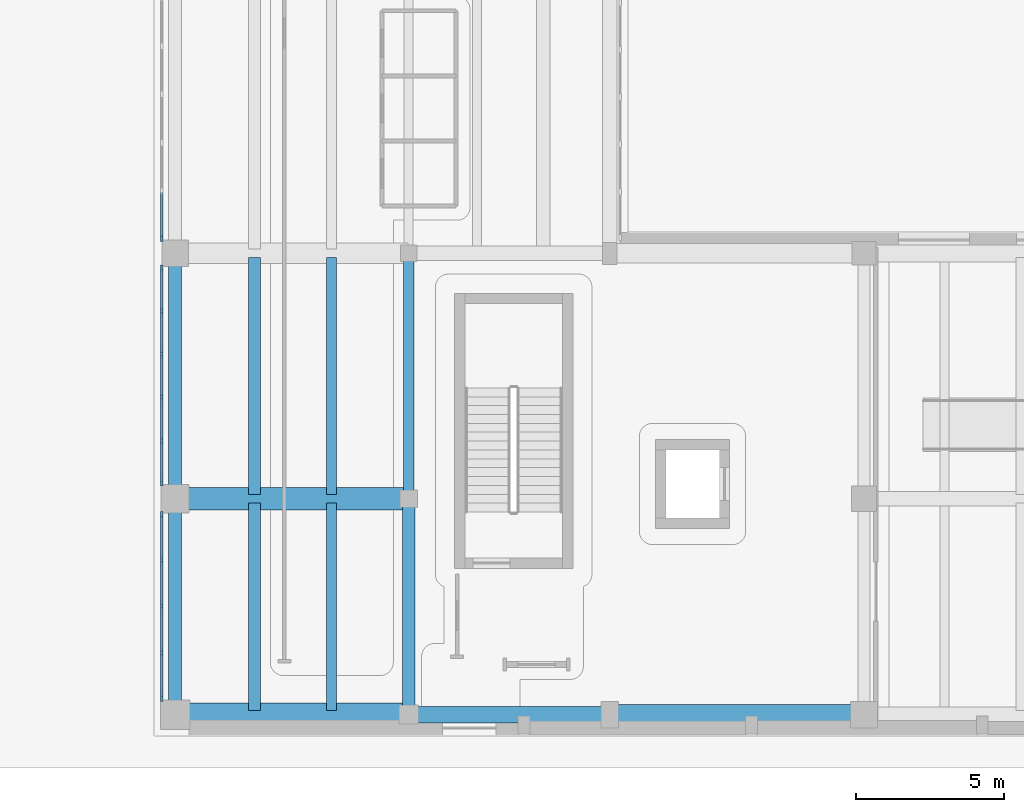
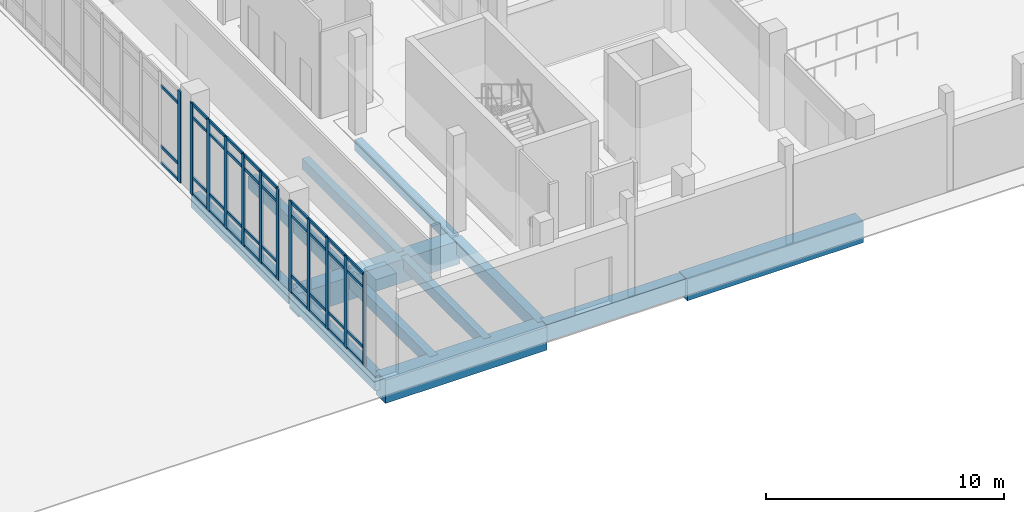
# One storey, part 15 of 74: 51 members, 12 beams, 3 elements without a shape of their own.
"""IFC4 building model written with IfcOpenShell, lengths in metres."""

from ifc_helpers import new_model, si_unit, direction, frame, origin, origin_2d, place, context, subcontext, project, spatial, rectangle, extrude, material, material_profile, profile_set, type_object, element, aggregate, save


model = new_model("IFC4")

# Units and contexts
model_context = context("Model", 3, precision=1e-05, world=origin(), true_north=direction((0.0, 1.0)))
body_context = subcontext(model_context, "Body", "Model", "MODEL_VIEW")
ifc_project = project(units=[si_unit("LENGTHUNIT", "METRE"), si_unit("AREAUNIT", "SQUARE_METRE"), si_unit("VOLUMEUNIT", "CUBIC_METRE"), si_unit("PLANEANGLEUNIT", "RADIAN"), si_unit("MASSUNIT", "GRAM", prefix="KILO")], contexts=[model_context])

# Site, building, storey
site_placement = place(None, origin())
site = spatial("IfcSite", under=ifc_project, at=site_placement, CompositionType="ELEMENT")
building_placement = place(site_placement, origin())
building = spatial("IfcBuilding", under=site, at=building_placement, Name="Soyqirgoq Riverine Aquarium", CompositionType="ELEMENT")
storey_placement = place(building_placement, origin())
storey = spatial("IfcBuildingStorey", under=building, at=storey_placement, Name="L01", CompositionType="ELEMENT", Elevation=0.0)

# Beams
ifc_material_1 = material(Name="Concrete C40/50", Category="concrete")
ifc_material_profile_1 = material_profile(ifc_material_1, rectangle(XDim=0.39990234375, YDim=0.60009765625, at=origin_2d()), Name="RC 400x600")
ifc_profile_set_1 = profile_set([ifc_material_profile_1], Name="Concrete C40/50")
beam_type_1 = type_object("IfcBeamType", Name="Beam_RC_400x600", PredefinedType="JOIST", material=ifc_profile_set_1)
beam_1_placement = place(storey_placement, frame((117.385986328125, 2.340087890625, -0.64990234375), z_axis=(0.0, 1.0, 0.0), x_axis=(-1.0, 0.0, 0.0)))
element("IfcBeam", 1, at=beam_1_placement, inside=storey, type_object=beam_type_1, Name="V6 L01 Secondary Bay Joist 1054", PredefinedType="JOIST", context=body_context, shape_type="SweptSolid", body=[
    extrude(rectangle(XDim=0.39990234375, YDim=0.60009765625, at=origin_2d()), origin(), (0.0, 0.0, 1.0), 7.02001953125),
])
beam_2_placement = place(storey_placement, frame((117.385986328125, 9.639892578125, -0.64990234375), z_axis=(0.0, 1.0, 0.0), x_axis=(-1.0, 0.0, 0.0)))
element("IfcBeam", 2, at=beam_2_placement, inside=storey, type_object=beam_type_1, Name="V6 L01 Secondary Bay Joist 1062", PredefinedType="JOIST", context=body_context, shape_type="SweptSolid", body=[
    extrude(rectangle(XDim=0.39990234375, YDim=0.60009765625, at=origin_2d()), origin(), (0.0, 0.0, 1.0), 8.02001953125),
])
ifc_material_2 = material(Name="Concrete C40/50", Category="concrete")
ifc_material_profile_2 = material_profile(ifc_material_2, rectangle(XDim=0.419921875, YDim=0.679931640625, at=origin_2d()), Name="RC 420x680")
ifc_profile_set_2 = profile_set([ifc_material_profile_2], Name="Concrete C40/50")
beam_type_2 = type_object("IfcBeamType", Name="Beam_RC_420x680", PredefinedType="BEAM", material=ifc_profile_set_2)
beam_3_placement = place(storey_placement, frame((122.60009765625, 2.25, -0.68994140625), z_axis=(0.0, 1.0, 0.0), x_axis=(-1.0, 0.0, 0.0)))
element("IfcBeam", 3, at=beam_3_placement, inside=storey, type_object=beam_type_2, Name="V6 L01 North-South Frame Beam 1019", PredefinedType="BEAM", context=body_context, shape_type="SweptSolid", body=[
    extrude(rectangle(XDim=0.419921875, YDim=0.679931640625, at=origin_2d()), origin(), (0.0, 0.0, 1.0), 7.199951171875),
])
ifc_material_3 = material(Name="Concrete C40/50", Category="concrete")
ifc_material_profile_3 = material_profile(ifc_material_3, rectangle(XDim=0.449951171875, YDim=0.699951171875, at=origin_2d()), Name="RC 450x700")
ifc_profile_set_3 = profile_set([ifc_material_profile_3], Name="Concrete C40/50")
beam_type_3 = type_object("IfcBeamType", Name="Beam_RC_450x700", PredefinedType="BEAM", material=ifc_profile_set_3)
beam_4_placement = place(storey_placement, frame((114.699951171875, 9.550048828125, -0.699951171875), z_axis=(0.0, 1.0, 0.0), x_axis=(-1.0, 0.0, 0.0)))
element("IfcBeam", 4, at=beam_4_placement, inside=storey, type_object=beam_type_3, Name="V6 L01 North-South Frame Beam 1008", PredefinedType="BEAM", context=body_context, shape_type="SweptSolid", body=[
    extrude(rectangle(XDim=0.449951171875, YDim=0.699951171875, at=origin_2d()), origin(), (0.0, 0.0, 1.0), 8.199951171875),
])
ifc_material_4 = material(Name="Concrete C40/50", Category="concrete")
ifc_material_profile_4 = material_profile(ifc_material_4, rectangle(XDim=0.449951171875, YDim=0.75, at=origin_2d()), Name="RC 450x750")
ifc_profile_set_4 = profile_set([ifc_material_profile_4], Name="Concrete C40/50")
beam_type_4 = type_object("IfcBeamType", Name="Beam_RC_450x750", PredefinedType="BEAM", material=ifc_profile_set_4)
beam_5_placement = place(storey_placement, frame((114.699951171875, 2.25, -0.72509765625), z_axis=(0.0, 1.0, 0.0), x_axis=(-1.0, 0.0, 0.0)))
element("IfcBeam", 5, at=beam_5_placement, inside=storey, type_object=beam_type_4, Name="V6 L01 North-South Frame Beam 1006", PredefinedType="BEAM", context=body_context, shape_type="SweptSolid", body=[
    extrude(rectangle(XDim=0.449951171875, YDim=0.75, at=origin_2d()), origin(), (0.0, 0.0, 1.0), 7.199951171875),
])

# Curtain wall, members
ifc_material_5 = material(Name="Structural silicone glazed entrance curtain wall", Category="aluminium")
curtain_wall_type = type_object("IfcCurtainWallType", Name="CW_Portal_Entrance", PredefinedType="NOTDEFINED", material=ifc_material_5)
curtain_wall_1_placement = place(storey_placement, origin())
curtain_wall_1 = element("IfcCurtainWall", 6, at=curtain_wall_1_placement, inside=storey, type_object=curtain_wall_type, Name="V6 L01 Curtain Wall 104", PredefinedType="NOTDEFINED")
ifc_material_6 = material(Name="Anodised aluminium 6063-T6", Category="aluminium")
ifc_material_profile_5 = material_profile(ifc_material_6, rectangle(XDim=0.080078125, YDim=0.219970703125, at=origin_2d()), Name="ALU-M 80x220")
ifc_profile_set_5 = profile_set([ifc_material_profile_5], Name="Anodised aluminium 6063-T6")
member_type_1 = type_object("IfcMemberType", Name="CWMullion_80x220", PredefinedType="MULLION", material=ifc_profile_set_5)
member_1_placement = place(storey_placement, frame((114.25, 2.760009765625, 0.0), z_axis=(0.0, 0.0, 1.0), x_axis=(-1.0, 0.0, 0.0)))
member_1 = element("IfcMember", 7, at=member_1_placement, type_object=member_type_1, Name="CW-04 mullion 1", PredefinedType="MULLION", context=body_context, shape_type="SweptSolid", body=[
    extrude(rectangle(XDim=0.080078125, YDim=0.219970703125, at=origin_2d()), origin(), (0.0, 0.0, 1.0), 4.699951171875),
])
member_2_placement = place(storey_placement, frame((114.25, 4.291259765625, 0.0), z_axis=(0.0, 0.0, 1.0), x_axis=(-1.0, 0.0, 0.0)))
member_2 = element("IfcMember", 8, at=member_2_placement, type_object=member_type_1, Name="CW-04 mullion 2", PredefinedType="MULLION", context=body_context, shape_type="SweptSolid", body=[
    extrude(rectangle(XDim=0.080078125, YDim=0.219970703125, at=origin_2d()), origin(), (0.0, 0.0, 1.0), 4.699951171875),
])
member_3_placement = place(storey_placement, frame((114.25, 5.862548828125, 0.0), z_axis=(0.0, 0.0, 1.0), x_axis=(-1.0, 0.0, 0.0)))
member_3 = element("IfcMember", 9, at=member_3_placement, type_object=member_type_1, Name="CW-04 mullion 3", PredefinedType="MULLION", context=body_context, shape_type="SweptSolid", body=[
    extrude(rectangle(XDim=0.080078125, YDim=0.219970703125, at=origin_2d()), origin(), (0.0, 0.0, 1.0), 4.699951171875),
])
member_4_placement = place(storey_placement, frame((114.25, 7.433837890625, 0.0), z_axis=(0.0, 0.0, 1.0), x_axis=(-1.0, 0.0, 0.0)))
member_4 = element("IfcMember", 10, at=member_4_placement, type_object=member_type_1, Name="CW-04 mullion 4", PredefinedType="MULLION", context=body_context, shape_type="SweptSolid", body=[
    extrude(rectangle(XDim=0.080078125, YDim=0.219970703125, at=origin_2d()), origin(), (0.0, 0.0, 1.0), 4.699951171875),
])
member_5_placement = place(storey_placement, frame((114.25, 8.965087890625, 0.0), z_axis=(0.0, 0.0, 1.0), x_axis=(-1.0, 0.0, 0.0)))
member_5 = element("IfcMember", 11, at=member_5_placement, type_object=member_type_1, Name="CW-04 mullion 5", PredefinedType="MULLION", context=body_context, shape_type="SweptSolid", body=[
    extrude(rectangle(XDim=0.080078125, YDim=0.219970703125, at=origin_2d()), origin(), (0.0, 0.0, 1.0), 4.699951171875),
])

curtain_wall_2_placement = place(storey_placement, origin())
curtain_wall_2 = element("IfcCurtainWall", 12, at=curtain_wall_2_placement, inside=storey, type_object=curtain_wall_type, Name="V6 L01 Curtain Wall 105", PredefinedType="NOTDEFINED")
member_6_placement = place(storey_placement, frame((114.25, 10.034912109375, 0.0), z_axis=(0.0, 0.0, 1.0), x_axis=(-1.0, 0.0, 0.0)))
member_6 = element("IfcMember", 13, at=member_6_placement, type_object=member_type_1, Name="CW-04 mullion 1", PredefinedType="MULLION", context=body_context, shape_type="SweptSolid", body=[
    extrude(rectangle(XDim=0.080078125, YDim=0.219970703125, at=origin_2d()), origin(), (0.0, 0.0, 1.0), 4.699951171875),
])
member_7_placement = place(storey_placement, frame((114.25, 11.4619140625, 0.0), z_axis=(0.0, 0.0, 1.0), x_axis=(-1.0, 0.0, 0.0)))
member_7 = element("IfcMember", 14, at=member_7_placement, type_object=member_type_1, Name="CW-04 mullion 2", PredefinedType="MULLION", context=body_context, shape_type="SweptSolid", body=[
    extrude(rectangle(XDim=0.080078125, YDim=0.219970703125, at=origin_2d()), origin(), (0.0, 0.0, 1.0), 4.699951171875),
])
member_8_placement = place(storey_placement, frame((114.25, 12.928955078125, 0.0), z_axis=(0.0, 0.0, 1.0), x_axis=(-1.0, 0.0, 0.0)))
member_8 = element("IfcMember", 15, at=member_8_placement, type_object=member_type_1, Name="CW-04 mullion 3", PredefinedType="MULLION", context=body_context, shape_type="SweptSolid", body=[
    extrude(rectangle(XDim=0.080078125, YDim=0.219970703125, at=origin_2d()), origin(), (0.0, 0.0, 1.0), 4.699951171875),
])
member_9_placement = place(storey_placement, frame((114.25, 14.39599609375, 0.0), z_axis=(0.0, 0.0, 1.0), x_axis=(-1.0, 0.0, 0.0)))
member_9 = element("IfcMember", 16, at=member_9_placement, type_object=member_type_1, Name="CW-04 mullion 4", PredefinedType="MULLION", context=body_context, shape_type="SweptSolid", body=[
    extrude(rectangle(XDim=0.080078125, YDim=0.219970703125, at=origin_2d()), origin(), (0.0, 0.0, 1.0), 4.699951171875),
])
member_10_placement = place(storey_placement, frame((114.25, 15.863037109375, 0.0), z_axis=(0.0, 0.0, 1.0), x_axis=(-1.0, 0.0, 0.0)))
member_10 = element("IfcMember", 17, at=member_10_placement, type_object=member_type_1, Name="CW-04 mullion 5", PredefinedType="MULLION", context=body_context, shape_type="SweptSolid", body=[
    extrude(rectangle(XDim=0.080078125, YDim=0.219970703125, at=origin_2d()), origin(), (0.0, 0.0, 1.0), 4.699951171875),
])
member_11_placement = place(storey_placement, frame((114.25, 17.2900390625, 0.0), z_axis=(0.0, 0.0, 1.0), x_axis=(-1.0, 0.0, 0.0)))
member_11 = element("IfcMember", 18, at=member_11_placement, type_object=member_type_1, Name="CW-04 mullion 6", PredefinedType="MULLION", context=body_context, shape_type="SweptSolid", body=[
    extrude(rectangle(XDim=0.080078125, YDim=0.219970703125, at=origin_2d()), origin(), (0.0, 0.0, 1.0), 4.699951171875),
])

# Curtain wall, member
curtain_wall_3_placement = place(storey_placement, origin())
curtain_wall_3 = element("IfcCurtainWall", 19, at=curtain_wall_3_placement, inside=storey, type_object=curtain_wall_type, Name="V6 L01 Curtain Wall 106", PredefinedType="NOTDEFINED")
member_12_placement = place(storey_placement, frame((114.25, 18.31005859375, 0.0), z_axis=(0.0, 0.0, 1.0), x_axis=(-1.0, 0.0, 0.0)))
member_12 = element("IfcMember", 20, at=member_12_placement, type_object=member_type_1, Name="CW-04 mullion 1", PredefinedType="MULLION", context=body_context, shape_type="SweptSolid", body=[
    extrude(rectangle(XDim=0.080078125, YDim=0.219970703125, at=origin_2d()), origin(), (0.0, 0.0, 1.0), 4.699951171875),
])

# Member
ifc_material_7 = material(Name="Anodised aluminium 6063-T6", Category="aluminium")
ifc_material_profile_6 = material_profile(ifc_material_7, rectangle(XDim=0.074951171875, YDim=0.14990234375, at=origin_2d()), Name="ALU-T 75x150")
ifc_profile_set_6 = profile_set([ifc_material_profile_6], Name="Anodised aluminium 6063-T6")
member_type_2 = type_object("IfcMemberType", Name="CWTransom_75x150", PredefinedType="USERDEFINED", material=ifc_profile_set_6)
member_13_placement = place(storey_placement, frame((114.25, 2.800048828125, 0.03759765625), z_axis=(0.0, 1.0, 0.0), x_axis=(-1.0, 0.0, 0.0)))
member_13 = element("IfcMember", 21, at=member_13_placement, type_object=member_type_2, Name="CW-04 transom 1.1", ObjectType="TRANSOM", PredefinedType="USERDEFINED", context=body_context, shape_type="SweptSolid", body=[
    extrude(rectangle(XDim=0.074951171875, YDim=0.14990234375, at=origin_2d()), origin(), (0.0, 0.0, 1.0), 1.451171875),
])

member_14_placement = place(storey_placement, frame((114.25, 2.800048828125, 0.89990234375), z_axis=(0.0, 1.0, 0.0), x_axis=(-1.0, 0.0, 0.0)))
member_14 = element("IfcMember", 22, at=member_14_placement, type_object=member_type_2, Name="CW-04 transom 1.2", ObjectType="TRANSOM", PredefinedType="USERDEFINED", context=body_context, shape_type="SweptSolid", body=[
    extrude(rectangle(XDim=0.074951171875, YDim=0.14990234375, at=origin_2d()), origin(), (0.0, 0.0, 1.0), 1.451171875),
])

member_15_placement = place(storey_placement, frame((114.25, 2.800048828125, 4.0), z_axis=(0.0, 1.0, 0.0), x_axis=(-1.0, 0.0, 0.0)))
member_15 = element("IfcMember", 23, at=member_15_placement, type_object=member_type_2, Name="CW-04 transom 1.3", ObjectType="TRANSOM", PredefinedType="USERDEFINED", context=body_context, shape_type="SweptSolid", body=[
    extrude(rectangle(XDim=0.074951171875, YDim=0.14990234375, at=origin_2d()), origin(), (0.0, 0.0, 1.0), 1.451171875),
])

member_16_placement = place(storey_placement, frame((114.25, 2.800048828125, 4.66259765625), z_axis=(0.0, 1.0, 0.0), x_axis=(-1.0, 0.0, 0.0)))
member_16 = element("IfcMember", 24, at=member_16_placement, type_object=member_type_2, Name="CW-04 transom 1.4", ObjectType="TRANSOM", PredefinedType="USERDEFINED", context=body_context, shape_type="SweptSolid", body=[
    extrude(rectangle(XDim=0.074951171875, YDim=0.14990234375, at=origin_2d()), origin(), (0.0, 0.0, 1.0), 1.451171875),
])

member_17_placement = place(storey_placement, frame((114.25, 4.331298828125, 0.03759765625), z_axis=(0.0, 1.0, 0.0), x_axis=(-1.0, 0.0, 0.0)))
member_17 = element("IfcMember", 25, at=member_17_placement, type_object=member_type_2, Name="CW-04 transom 2.1", ObjectType="TRANSOM", PredefinedType="USERDEFINED", context=body_context, shape_type="SweptSolid", body=[
    extrude(rectangle(XDim=0.074951171875, YDim=0.14990234375, at=origin_2d()), origin(), (0.0, 0.0, 1.0), 1.4912109375),
])

member_18_placement = place(storey_placement, frame((114.25, 4.331298828125, 0.89990234375), z_axis=(0.0, 1.0, 0.0), x_axis=(-1.0, 0.0, 0.0)))
member_18 = element("IfcMember", 26, at=member_18_placement, type_object=member_type_2, Name="CW-04 transom 2.2", ObjectType="TRANSOM", PredefinedType="USERDEFINED", context=body_context, shape_type="SweptSolid", body=[
    extrude(rectangle(XDim=0.074951171875, YDim=0.14990234375, at=origin_2d()), origin(), (0.0, 0.0, 1.0), 1.4912109375),
])

member_19_placement = place(storey_placement, frame((114.25, 4.331298828125, 4.0), z_axis=(0.0, 1.0, 0.0), x_axis=(-1.0, 0.0, 0.0)))
member_19 = element("IfcMember", 27, at=member_19_placement, type_object=member_type_2, Name="CW-04 transom 2.3", ObjectType="TRANSOM", PredefinedType="USERDEFINED", context=body_context, shape_type="SweptSolid", body=[
    extrude(rectangle(XDim=0.074951171875, YDim=0.14990234375, at=origin_2d()), origin(), (0.0, 0.0, 1.0), 1.4912109375),
])

member_20_placement = place(storey_placement, frame((114.25, 4.331298828125, 4.66259765625), z_axis=(0.0, 1.0, 0.0), x_axis=(-1.0, 0.0, 0.0)))
member_20 = element("IfcMember", 28, at=member_20_placement, type_object=member_type_2, Name="CW-04 transom 2.4", ObjectType="TRANSOM", PredefinedType="USERDEFINED", context=body_context, shape_type="SweptSolid", body=[
    extrude(rectangle(XDim=0.074951171875, YDim=0.14990234375, at=origin_2d()), origin(), (0.0, 0.0, 1.0), 1.4912109375),
])

member_21_placement = place(storey_placement, frame((114.25, 5.902587890625, 0.03759765625), z_axis=(0.0, 1.0, 0.0), x_axis=(-1.0, 0.0, 0.0)))
member_21 = element("IfcMember", 29, at=member_21_placement, type_object=member_type_2, Name="CW-04 transom 3.1", ObjectType="TRANSOM", PredefinedType="USERDEFINED", context=body_context, shape_type="SweptSolid", body=[
    extrude(rectangle(XDim=0.074951171875, YDim=0.14990234375, at=origin_2d()), origin(), (0.0, 0.0, 1.0), 1.4912109375),
])

member_22_placement = place(storey_placement, frame((114.25, 5.902587890625, 0.89990234375), z_axis=(0.0, 1.0, 0.0), x_axis=(-1.0, 0.0, 0.0)))
member_22 = element("IfcMember", 30, at=member_22_placement, type_object=member_type_2, Name="CW-04 transom 3.2", ObjectType="TRANSOM", PredefinedType="USERDEFINED", context=body_context, shape_type="SweptSolid", body=[
    extrude(rectangle(XDim=0.074951171875, YDim=0.14990234375, at=origin_2d()), origin(), (0.0, 0.0, 1.0), 1.4912109375),
])

member_23_placement = place(storey_placement, frame((114.25, 5.902587890625, 4.0), z_axis=(0.0, 1.0, 0.0), x_axis=(-1.0, 0.0, 0.0)))
member_23 = element("IfcMember", 31, at=member_23_placement, type_object=member_type_2, Name="CW-04 transom 3.3", ObjectType="TRANSOM", PredefinedType="USERDEFINED", context=body_context, shape_type="SweptSolid", body=[
    extrude(rectangle(XDim=0.074951171875, YDim=0.14990234375, at=origin_2d()), origin(), (0.0, 0.0, 1.0), 1.4912109375),
])

member_24_placement = place(storey_placement, frame((114.25, 5.902587890625, 4.66259765625), z_axis=(0.0, 1.0, 0.0), x_axis=(-1.0, 0.0, 0.0)))
member_24 = element("IfcMember", 32, at=member_24_placement, type_object=member_type_2, Name="CW-04 transom 3.4", ObjectType="TRANSOM", PredefinedType="USERDEFINED", context=body_context, shape_type="SweptSolid", body=[
    extrude(rectangle(XDim=0.074951171875, YDim=0.14990234375, at=origin_2d()), origin(), (0.0, 0.0, 1.0), 1.4912109375),
])

member_25_placement = place(storey_placement, frame((114.25, 7.4736328125, 0.03759765625), z_axis=(0.0, 1.0, 0.0), x_axis=(-1.0, 0.0, 0.0)))
member_25 = element("IfcMember", 33, at=member_25_placement, type_object=member_type_2, Name="CW-04 transom 4.1", ObjectType="TRANSOM", PredefinedType="USERDEFINED", context=body_context, shape_type="SweptSolid", body=[
    extrude(rectangle(XDim=0.074951171875, YDim=0.14990234375, at=origin_2d()), origin(), (0.0, 0.0, 1.0), 1.451416015625),
])

member_26_placement = place(storey_placement, frame((114.25, 7.4736328125, 0.89990234375), z_axis=(0.0, 1.0, 0.0), x_axis=(-1.0, 0.0, 0.0)))
member_26 = element("IfcMember", 34, at=member_26_placement, type_object=member_type_2, Name="CW-04 transom 4.2", ObjectType="TRANSOM", PredefinedType="USERDEFINED", context=body_context, shape_type="SweptSolid", body=[
    extrude(rectangle(XDim=0.074951171875, YDim=0.14990234375, at=origin_2d()), origin(), (0.0, 0.0, 1.0), 1.451416015625),
])

member_27_placement = place(storey_placement, frame((114.25, 7.4736328125, 4.0), z_axis=(0.0, 1.0, 0.0), x_axis=(-1.0, 0.0, 0.0)))
member_27 = element("IfcMember", 35, at=member_27_placement, type_object=member_type_2, Name="CW-04 transom 4.3", ObjectType="TRANSOM", PredefinedType="USERDEFINED", context=body_context, shape_type="SweptSolid", body=[
    extrude(rectangle(XDim=0.074951171875, YDim=0.14990234375, at=origin_2d()), origin(), (0.0, 0.0, 1.0), 1.451416015625),
])

member_28_placement = place(storey_placement, frame((114.25, 7.4736328125, 4.66259765625), z_axis=(0.0, 1.0, 0.0), x_axis=(-1.0, 0.0, 0.0)))
member_28 = element("IfcMember", 36, at=member_28_placement, type_object=member_type_2, Name="CW-04 transom 4.4", ObjectType="TRANSOM", PredefinedType="USERDEFINED", context=body_context, shape_type="SweptSolid", body=[
    extrude(rectangle(XDim=0.074951171875, YDim=0.14990234375, at=origin_2d()), origin(), (0.0, 0.0, 1.0), 1.451416015625),
])

aggregate(curtain_wall_1, [member_1, member_2, member_3, member_4, member_5, member_13, member_14, member_15, member_16, member_17, member_18, member_19, member_20, member_21, member_22, member_23, member_24, member_25, member_26, member_27, member_28])

member_29_placement = place(storey_placement, frame((114.25, 10.074951171875, 0.03759765625), z_axis=(0.0, 1.0, 0.0), x_axis=(-1.0, 0.0, 0.0)))
member_29 = element("IfcMember", 37, at=member_29_placement, type_object=member_type_2, Name="CW-04 transom 1.1", ObjectType="TRANSOM", PredefinedType="USERDEFINED", context=body_context, shape_type="SweptSolid", body=[
    extrude(rectangle(XDim=0.074951171875, YDim=0.14990234375, at=origin_2d()), origin(), (0.0, 0.0, 1.0), 1.34716796875),
])

member_30_placement = place(storey_placement, frame((114.25, 10.074951171875, 0.89990234375), z_axis=(0.0, 1.0, 0.0), x_axis=(-1.0, 0.0, 0.0)))
member_30 = element("IfcMember", 38, at=member_30_placement, type_object=member_type_2, Name="CW-04 transom 1.2", ObjectType="TRANSOM", PredefinedType="USERDEFINED", context=body_context, shape_type="SweptSolid", body=[
    extrude(rectangle(XDim=0.074951171875, YDim=0.14990234375, at=origin_2d()), origin(), (0.0, 0.0, 1.0), 1.34716796875),
])

member_31_placement = place(storey_placement, frame((114.25, 10.074951171875, 4.0), z_axis=(0.0, 1.0, 0.0), x_axis=(-1.0, 0.0, 0.0)))
member_31 = element("IfcMember", 39, at=member_31_placement, type_object=member_type_2, Name="CW-04 transom 1.3", ObjectType="TRANSOM", PredefinedType="USERDEFINED", context=body_context, shape_type="SweptSolid", body=[
    extrude(rectangle(XDim=0.074951171875, YDim=0.14990234375, at=origin_2d()), origin(), (0.0, 0.0, 1.0), 1.34716796875),
])

member_32_placement = place(storey_placement, frame((114.25, 10.074951171875, 4.66259765625), z_axis=(0.0, 1.0, 0.0), x_axis=(-1.0, 0.0, 0.0)))
member_32 = element("IfcMember", 40, at=member_32_placement, type_object=member_type_2, Name="CW-04 transom 1.4", ObjectType="TRANSOM", PredefinedType="USERDEFINED", context=body_context, shape_type="SweptSolid", body=[
    extrude(rectangle(XDim=0.074951171875, YDim=0.14990234375, at=origin_2d()), origin(), (0.0, 0.0, 1.0), 1.34716796875),
])

member_33_placement = place(storey_placement, frame((114.25, 11.501953125, 0.03759765625), z_axis=(0.0, 1.0, 0.0), x_axis=(-1.0, 0.0, 0.0)))
member_33 = element("IfcMember", 41, at=member_33_placement, type_object=member_type_2, Name="CW-04 transom 2.1", ObjectType="TRANSOM", PredefinedType="USERDEFINED", context=body_context, shape_type="SweptSolid", body=[
    extrude(rectangle(XDim=0.074951171875, YDim=0.14990234375, at=origin_2d()), origin(), (0.0, 0.0, 1.0), 1.386962890625),
])

member_34_placement = place(storey_placement, frame((114.25, 11.501953125, 0.89990234375), z_axis=(0.0, 1.0, 0.0), x_axis=(-1.0, 0.0, 0.0)))
member_34 = element("IfcMember", 42, at=member_34_placement, type_object=member_type_2, Name="CW-04 transom 2.2", ObjectType="TRANSOM", PredefinedType="USERDEFINED", context=body_context, shape_type="SweptSolid", body=[
    extrude(rectangle(XDim=0.074951171875, YDim=0.14990234375, at=origin_2d()), origin(), (0.0, 0.0, 1.0), 1.386962890625),
])

member_35_placement = place(storey_placement, frame((114.25, 11.501953125, 4.0), z_axis=(0.0, 1.0, 0.0), x_axis=(-1.0, 0.0, 0.0)))
member_35 = element("IfcMember", 43, at=member_35_placement, type_object=member_type_2, Name="CW-04 transom 2.3", ObjectType="TRANSOM", PredefinedType="USERDEFINED", context=body_context, shape_type="SweptSolid", body=[
    extrude(rectangle(XDim=0.074951171875, YDim=0.14990234375, at=origin_2d()), origin(), (0.0, 0.0, 1.0), 1.386962890625),
])

member_36_placement = place(storey_placement, frame((114.25, 11.501953125, 4.66259765625), z_axis=(0.0, 1.0, 0.0), x_axis=(-1.0, 0.0, 0.0)))
member_36 = element("IfcMember", 44, at=member_36_placement, type_object=member_type_2, Name="CW-04 transom 2.4", ObjectType="TRANSOM", PredefinedType="USERDEFINED", context=body_context, shape_type="SweptSolid", body=[
    extrude(rectangle(XDim=0.074951171875, YDim=0.14990234375, at=origin_2d()), origin(), (0.0, 0.0, 1.0), 1.386962890625),
])

member_37_placement = place(storey_placement, frame((114.25, 12.968994140625, 0.03759765625), z_axis=(0.0, 1.0, 0.0), x_axis=(-1.0, 0.0, 0.0)))
member_37 = element("IfcMember", 45, at=member_37_placement, type_object=member_type_2, Name="CW-04 transom 3.1", ObjectType="TRANSOM", PredefinedType="USERDEFINED", context=body_context, shape_type="SweptSolid", body=[
    extrude(rectangle(XDim=0.074951171875, YDim=0.14990234375, at=origin_2d()), origin(), (0.0, 0.0, 1.0), 1.386962890625),
])

member_38_placement = place(storey_placement, frame((114.25, 12.968994140625, 0.89990234375), z_axis=(0.0, 1.0, 0.0), x_axis=(-1.0, 0.0, 0.0)))
member_38 = element("IfcMember", 46, at=member_38_placement, type_object=member_type_2, Name="CW-04 transom 3.2", ObjectType="TRANSOM", PredefinedType="USERDEFINED", context=body_context, shape_type="SweptSolid", body=[
    extrude(rectangle(XDim=0.074951171875, YDim=0.14990234375, at=origin_2d()), origin(), (0.0, 0.0, 1.0), 1.386962890625),
])

member_39_placement = place(storey_placement, frame((114.25, 12.968994140625, 4.0), z_axis=(0.0, 1.0, 0.0), x_axis=(-1.0, 0.0, 0.0)))
member_39 = element("IfcMember", 47, at=member_39_placement, type_object=member_type_2, Name="CW-04 transom 3.3", ObjectType="TRANSOM", PredefinedType="USERDEFINED", context=body_context, shape_type="SweptSolid", body=[
    extrude(rectangle(XDim=0.074951171875, YDim=0.14990234375, at=origin_2d()), origin(), (0.0, 0.0, 1.0), 1.386962890625),
])

member_40_placement = place(storey_placement, frame((114.25, 12.968994140625, 4.66259765625), z_axis=(0.0, 1.0, 0.0), x_axis=(-1.0, 0.0, 0.0)))
member_40 = element("IfcMember", 48, at=member_40_placement, type_object=member_type_2, Name="CW-04 transom 3.4", ObjectType="TRANSOM", PredefinedType="USERDEFINED", context=body_context, shape_type="SweptSolid", body=[
    extrude(rectangle(XDim=0.074951171875, YDim=0.14990234375, at=origin_2d()), origin(), (0.0, 0.0, 1.0), 1.386962890625),
])

member_41_placement = place(storey_placement, frame((114.25, 14.43603515625, 0.03759765625), z_axis=(0.0, 1.0, 0.0), x_axis=(-1.0, 0.0, 0.0)))
member_41 = element("IfcMember", 49, at=member_41_placement, type_object=member_type_2, Name="CW-04 transom 4.1", ObjectType="TRANSOM", PredefinedType="USERDEFINED", context=body_context, shape_type="SweptSolid", body=[
    extrude(rectangle(XDim=0.074951171875, YDim=0.14990234375, at=origin_2d()), origin(), (0.0, 0.0, 1.0), 1.386962890625),
])

member_42_placement = place(storey_placement, frame((114.25, 14.43603515625, 0.89990234375), z_axis=(0.0, 1.0, 0.0), x_axis=(-1.0, 0.0, 0.0)))
member_42 = element("IfcMember", 50, at=member_42_placement, type_object=member_type_2, Name="CW-04 transom 4.2", ObjectType="TRANSOM", PredefinedType="USERDEFINED", context=body_context, shape_type="SweptSolid", body=[
    extrude(rectangle(XDim=0.074951171875, YDim=0.14990234375, at=origin_2d()), origin(), (0.0, 0.0, 1.0), 1.386962890625),
])

member_43_placement = place(storey_placement, frame((114.25, 14.43603515625, 4.0), z_axis=(0.0, 1.0, 0.0), x_axis=(-1.0, 0.0, 0.0)))
member_43 = element("IfcMember", 51, at=member_43_placement, type_object=member_type_2, Name="CW-04 transom 4.3", ObjectType="TRANSOM", PredefinedType="USERDEFINED", context=body_context, shape_type="SweptSolid", body=[
    extrude(rectangle(XDim=0.074951171875, YDim=0.14990234375, at=origin_2d()), origin(), (0.0, 0.0, 1.0), 1.386962890625),
])

member_44_placement = place(storey_placement, frame((114.25, 14.43603515625, 4.66259765625), z_axis=(0.0, 1.0, 0.0), x_axis=(-1.0, 0.0, 0.0)))
member_44 = element("IfcMember", 52, at=member_44_placement, type_object=member_type_2, Name="CW-04 transom 4.4", ObjectType="TRANSOM", PredefinedType="USERDEFINED", context=body_context, shape_type="SweptSolid", body=[
    extrude(rectangle(XDim=0.074951171875, YDim=0.14990234375, at=origin_2d()), origin(), (0.0, 0.0, 1.0), 1.386962890625),
])

member_45_placement = place(storey_placement, frame((114.25, 15.903076171875, 0.03759765625), z_axis=(0.0, 1.0, 0.0), x_axis=(-1.0, 0.0, 0.0)))
member_45 = element("IfcMember", 53, at=member_45_placement, type_object=member_type_2, Name="CW-04 transom 5.1", ObjectType="TRANSOM", PredefinedType="USERDEFINED", context=body_context, shape_type="SweptSolid", body=[
    extrude(rectangle(XDim=0.074951171875, YDim=0.14990234375, at=origin_2d()), origin(), (0.0, 0.0, 1.0), 1.346923828125),
])

member_46_placement = place(storey_placement, frame((114.25, 15.903076171875, 0.89990234375), z_axis=(0.0, 1.0, 0.0), x_axis=(-1.0, 0.0, 0.0)))
member_46 = element("IfcMember", 54, at=member_46_placement, type_object=member_type_2, Name="CW-04 transom 5.2", ObjectType="TRANSOM", PredefinedType="USERDEFINED", context=body_context, shape_type="SweptSolid", body=[
    extrude(rectangle(XDim=0.074951171875, YDim=0.14990234375, at=origin_2d()), origin(), (0.0, 0.0, 1.0), 1.346923828125),
])

member_47_placement = place(storey_placement, frame((114.25, 15.903076171875, 4.0), z_axis=(0.0, 1.0, 0.0), x_axis=(-1.0, 0.0, 0.0)))
member_47 = element("IfcMember", 55, at=member_47_placement, type_object=member_type_2, Name="CW-04 transom 5.3", ObjectType="TRANSOM", PredefinedType="USERDEFINED", context=body_context, shape_type="SweptSolid", body=[
    extrude(rectangle(XDim=0.074951171875, YDim=0.14990234375, at=origin_2d()), origin(), (0.0, 0.0, 1.0), 1.346923828125),
])

member_48_placement = place(storey_placement, frame((114.25, 15.903076171875, 4.66259765625), z_axis=(0.0, 1.0, 0.0), x_axis=(-1.0, 0.0, 0.0)))
member_48 = element("IfcMember", 56, at=member_48_placement, type_object=member_type_2, Name="CW-04 transom 5.4", ObjectType="TRANSOM", PredefinedType="USERDEFINED", context=body_context, shape_type="SweptSolid", body=[
    extrude(rectangle(XDim=0.074951171875, YDim=0.14990234375, at=origin_2d()), origin(), (0.0, 0.0, 1.0), 1.346923828125),
])

aggregate(curtain_wall_2, [member_6, member_7, member_8, member_9, member_10, member_11, member_29, member_30, member_31, member_32, member_33, member_34, member_35, member_36, member_37, member_38, member_39, member_40, member_41, member_42, member_43, member_44, member_45, member_46, member_47, member_48])

member_49_placement = place(storey_placement, frame((114.25, 18.35009765625, 0.03759765625), z_axis=(0.0, 1.0, 0.0), x_axis=(-1.0, 0.0, 0.0)))
member_49 = element("IfcMember", 57, at=member_49_placement, type_object=member_type_2, Name="CW-04 transom 1.1", ObjectType="TRANSOM", PredefinedType="USERDEFINED", context=body_context, shape_type="SweptSolid", body=[
    extrude(rectangle(XDim=0.074951171875, YDim=0.14990234375, at=origin_2d()), origin(), (0.0, 0.0, 1.0), 1.515380859375),
])

member_50_placement = place(storey_placement, frame((114.25, 18.35009765625, 0.89990234375), z_axis=(0.0, 1.0, 0.0), x_axis=(-1.0, 0.0, 0.0)))
member_50 = element("IfcMember", 58, at=member_50_placement, type_object=member_type_2, Name="CW-04 transom 1.2", ObjectType="TRANSOM", PredefinedType="USERDEFINED", context=body_context, shape_type="SweptSolid", body=[
    extrude(rectangle(XDim=0.074951171875, YDim=0.14990234375, at=origin_2d()), origin(), (0.0, 0.0, 1.0), 1.515380859375),
])

member_51_placement = place(storey_placement, frame((114.25, 18.35009765625, 4.0), z_axis=(0.0, 1.0, 0.0), x_axis=(-1.0, 0.0, 0.0)))
member_51 = element("IfcMember", 59, at=member_51_placement, type_object=member_type_2, Name="CW-04 transom 1.3", ObjectType="TRANSOM", PredefinedType="USERDEFINED", context=body_context, shape_type="SweptSolid", body=[
    extrude(rectangle(XDim=0.074951171875, YDim=0.14990234375, at=origin_2d()), origin(), (0.0, 0.0, 1.0), 1.515380859375),
])

aggregate(curtain_wall_3, [member_12, member_49, member_50, member_51])

# Beams
ifc_material_8 = material(Name="Concrete C40/50", Category="concrete")
ifc_material_profile_7 = material_profile(ifc_material_8, rectangle(XDim=0.550048828125, YDim=0.85009765625, at=origin_2d()), Name="RC 550x850")
ifc_profile_set_7 = profile_set([ifc_material_profile_7], Name="Concrete C40/50")
beam_type_5 = type_object("IfcBeamType", Name="Girder_RC_550x850", PredefinedType="BEAM", material=ifc_profile_set_7)
beam_6_placement = place(storey_placement, frame((122.6201171875, 2.199951171875, -0.77490234375), z_axis=(1.0, 0.0, 0.0), x_axis=(0.0, 1.0, 0.0)))
element("IfcBeam", 60, at=beam_6_placement, inside=storey, type_object=beam_type_5, Name="V6 L01 East-West Frame Girder 1020", PredefinedType="BEAM", context=body_context, shape_type="SweptSolid", body=[
    extrude(rectangle(XDim=0.550048828125, YDim=0.85009765625, at=origin_2d()), origin(), (0.0, 0.0, 1.0), 6.759765625),
])
ifc_material_9 = material(Name="Concrete C40/50", Category="concrete")
ifc_material_profile_8 = material_profile(ifc_material_9, rectangle(XDim=0.699951171875, YDim=1.10009765625, at=origin_2d()), Name="RC 700x1100")
ifc_profile_set_8 = profile_set([ifc_material_profile_8], Name="Concrete C40/50")
beam_type_6 = type_object("IfcBeamType", Name="Girder_RC_700x1100", PredefinedType="BEAM", material=ifc_profile_set_8)
beam_7_placement = place(storey_placement, frame((129.419921875, 2.199951171875, -0.89990234375), z_axis=(1.0, 0.0, 0.0), x_axis=(0.0, 1.0, 0.0)))
element("IfcBeam", 61, at=beam_7_placement, inside=storey, type_object=beam_type_6, Name="V6 L01 East-West Frame Girder 1031", PredefinedType="BEAM", context=body_context, shape_type="SweptSolid", body=[
    extrude(rectangle(XDim=0.699951171875, YDim=1.10009765625, at=origin_2d()), origin(), (0.0, 0.0, 1.0), 8.56005859375),
])
ifc_material_10 = material(Name="Concrete C40/50", Category="concrete")
ifc_material_profile_9 = material_profile(ifc_material_10, rectangle(XDim=0.75, YDim=1.199951171875, at=origin_2d()), Name="RC 750x1200")
ifc_profile_set_9 = profile_set([ifc_material_profile_9], Name="Concrete C40/50")
beam_type_7 = type_object("IfcBeamType", Name="Girder_RC_750x1200", PredefinedType="BEAM", material=ifc_profile_set_9)
beam_8_placement = place(storey_placement, frame((114.719970703125, 9.5, -0.949951171875), z_axis=(1.0, 0.0, 0.0), x_axis=(0.0, 1.0, 0.0)))
element("IfcBeam", 62, at=beam_8_placement, inside=storey, type_object=beam_type_7, Name="V6 L01 East-West Frame Girder 1009", PredefinedType="BEAM", context=body_context, shape_type="SweptSolid", body=[
    extrude(rectangle(XDim=0.75, YDim=1.199951171875, at=origin_2d()), origin(), (0.0, 0.0, 1.0), 7.860107421875),
])
ifc_material_11 = material(Name="Concrete C40/50", Category="concrete")
ifc_material_profile_10 = material_profile(ifc_material_11, rectangle(XDim=0.800048828125, YDim=1.199951171875, at=origin_2d()), Name="RC 800x1200")
ifc_profile_set_10 = profile_set([ifc_material_profile_10], Name="Concrete C40/50")
beam_type_8 = type_object("IfcBeamType", Name="Girder_RC_800x1200", PredefinedType="BEAM", material=ifc_profile_set_10)
beam_9_placement = place(storey_placement, frame((114.719970703125, 2.199951171875, -0.949951171875), z_axis=(1.0, 0.0, 0.0), x_axis=(0.0, 1.0, 0.0)))
element("IfcBeam", 63, at=beam_9_placement, inside=storey, type_object=beam_type_8, Name="V6 L01 East-West Frame Girder 1007", PredefinedType="BEAM", context=body_context, shape_type="SweptSolid", body=[
    extrude(rectangle(XDim=0.800048828125, YDim=1.199951171875, at=origin_2d()), origin(), (0.0, 0.0, 1.0), 7.860107421875),
])
ifc_material_12 = material(Name="Concrete C40/50", Category="concrete")
ifc_material_profile_11 = material_profile(ifc_material_12, rectangle(XDim=0.35009765625, YDim=0.550048828125, at=origin_2d()), Name="RC 350x550")
ifc_profile_set_11 = profile_set([ifc_material_profile_11], Name="Concrete C40/50")
beam_type_9 = type_object("IfcBeamType", Name="TBeam_RC_350x550", PredefinedType="T_BEAM", material=ifc_profile_set_11)
beam_10_placement = place(storey_placement, frame((122.60009765625, 9.550048828125, -0.625), z_axis=(0.0, 1.0, 0.0), x_axis=(-1.0, 0.0, 0.0)))
element("IfcBeam", 64, at=beam_10_placement, inside=storey, type_object=beam_type_9, Name="V6 L01 North-South Frame Beam 1021", PredefinedType="T_BEAM", context=body_context, shape_type="SweptSolid", body=[
    extrude(rectangle(XDim=0.35009765625, YDim=0.550048828125, at=origin_2d()), origin(), (0.0, 0.0, 1.0), 8.199951171875),
])
beam_11_placement = place(storey_placement, frame((119.992919921875, 2.340087890625, -0.625), z_axis=(0.0, 1.0, 0.0), x_axis=(-1.0, 0.0, 0.0)))
element("IfcBeam", 65, at=beam_11_placement, inside=storey, type_object=beam_type_9, Name="V6 L01 Secondary Bay Joist 1055", PredefinedType="T_BEAM", context=body_context, shape_type="SweptSolid", body=[
    extrude(rectangle(XDim=0.35009765625, YDim=0.550048828125, at=origin_2d()), origin(), (0.0, 0.0, 1.0), 7.02001953125),
])
beam_12_placement = place(storey_placement, frame((119.992919921875, 9.639892578125, -0.625), z_axis=(0.0, 1.0, 0.0), x_axis=(-1.0, 0.0, 0.0)))
element("IfcBeam", 66, at=beam_12_placement, inside=storey, type_object=beam_type_9, Name="V6 L01 Secondary Bay Joist 1063", PredefinedType="T_BEAM", context=body_context, shape_type="SweptSolid", body=[
    extrude(rectangle(XDim=0.35009765625, YDim=0.550048828125, at=origin_2d()), origin(), (0.0, 0.0, 1.0), 8.02001953125),
])

save(model, "model.ifc")
